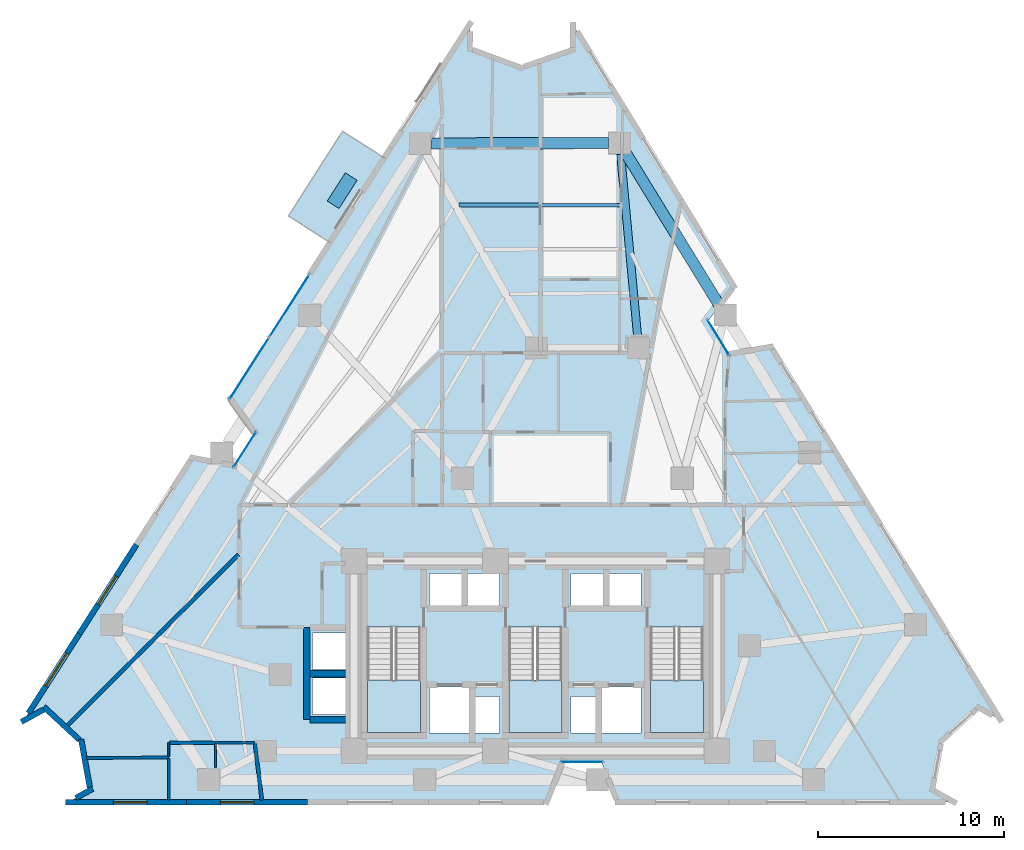
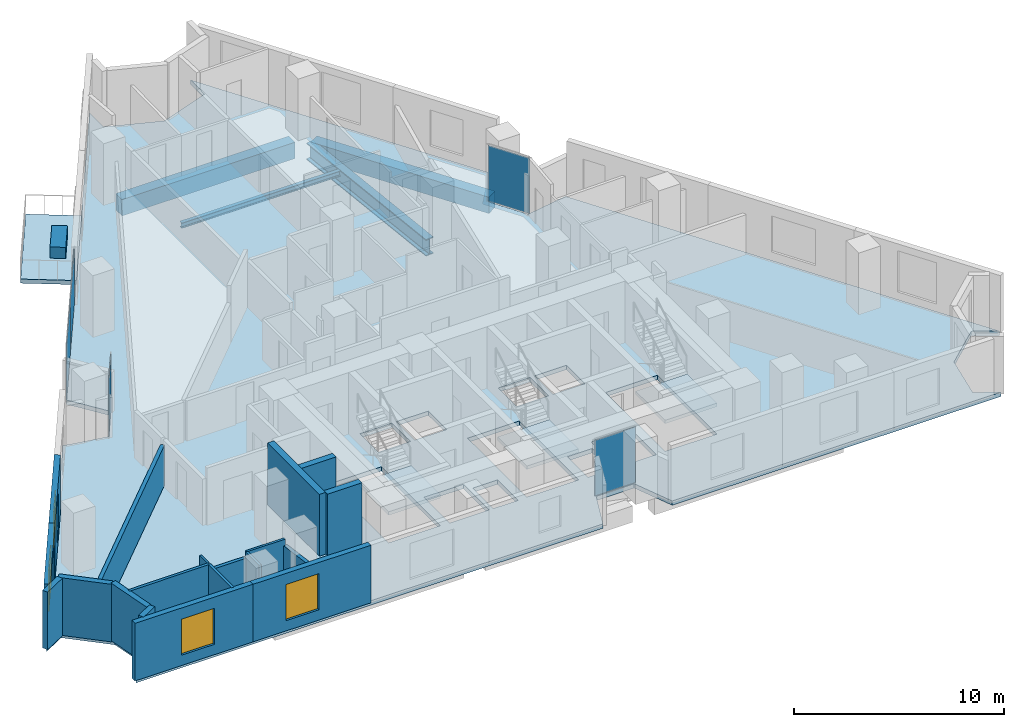
# One storey, part 5 of 13: 19 walls, 6 plates, 5 slabs, 4 beams, 4 windows, 4 openings, 7 elements without a shape of their own.
"""IFC4 building model written with IfcOpenShell, lengths in metres."""

from ifc_helpers import new_model, si_unit, direction, frame, frame_2d, origin, origin_2d, place, context, subcontext, project, spatial, polyline, rectangle, i_section, outline, extrude, material, layer, layer_set, material_profile, profile_set, type_object, element, fill, aggregate, save


model = new_model("IFC4")

# Units and contexts
model_context = context("Model", 3, precision=1e-05, world=origin(), true_north=direction((0.0, 1.0)))
body_context = subcontext(model_context, "Body", "Model", "MODEL_VIEW")
ifc_project = project(units=[si_unit("LENGTHUNIT", "METRE"), si_unit("AREAUNIT", "SQUARE_METRE"), si_unit("VOLUMEUNIT", "CUBIC_METRE"), si_unit("PLANEANGLEUNIT", "RADIAN"), si_unit("MASSUNIT", "GRAM", prefix="KILO")], contexts=[model_context])

# Site, building, storey
site_placement = place(None, origin())
site = spatial("IfcSite", under=ifc_project, at=site_placement, CompositionType="ELEMENT")
building_placement = place(site_placement, origin())
building = spatial("IfcBuilding", under=site, at=building_placement, Name="Almagre Mirador Tower", CompositionType="ELEMENT")
storey_placement = place(building_placement, frame((0.0, 0.0, 82.199951171875)))
storey = spatial("IfcBuildingStorey", under=building, at=storey_placement, Name="L20", CompositionType="ELEMENT", Elevation=82.199951171875)

# Beams
ifc_material_1 = material(Name="Steel ASTM A992 Grade 50", Category="steel")
ifc_material_profile_1 = material_profile(ifc_material_1, i_section(OverallWidth=0.205078125, OverallDepth=0.31005859375, WebThickness=0.009521484375, FlangeThickness=0.016357421875, FilletRadius=0.013916015625, at=origin_2d()), Name="W12X50")
ifc_profile_set_1 = profile_set([ifc_material_profile_1], Name="Steel ASTM A992 Grade 50")
beam_type_1 = type_object("IfcBeamType", Name="BM-JST-W12X50", PredefinedType="JOIST", material=ifc_profile_set_1)
beam_1_placement = place(storey_placement, frame((41.923095703125, 33.86328125, -0.405029296875), z_axis=(-0.999997681519, 0.00215335929, 0.0), x_axis=(-0.00215335929, -0.999997681519, 0.0)))
element("IfcBeam", 1, at=beam_1_placement, inside=storey, type_object=beam_type_1, Name="L20 secondary floor joist PC08-PC09.1", PredefinedType="JOIST", context=body_context, shape_type="SweptSolid", body=[
    extrude(i_section(OverallWidth=0.205078125, OverallDepth=0.31005859375, WebThickness=0.009521484375, FlangeThickness=0.016357421875, FilletRadius=0.013916015625, at=origin_2d()), origin(), (0.0, 0.0, 1.0), 8.72998046875),
])
ifc_material_2 = material(Name="Precast concrete C50/60", Category="concrete")
ifc_material_profile_2 = material_profile(ifc_material_2, rectangle(XDim=0.60009765625, YDim=0.949951171875, at=origin_2d()), Name="RC600X950")
ifc_profile_set_2 = profile_set([ifc_material_profile_2], Name="Precast concrete C50/60")
beam_type_2 = type_object("IfcBeamType", Name="BM-SPN-RC600X950", PredefinedType="SPANDREL", material=ifc_profile_set_2)
beam_2_placement = place(storey_placement, frame((47.19189453125, 28.47900390625, -0.724853515625), z_axis=(-0.523685040843, 0.851911954369, 0.0), x_axis=(-0.851911954369, -0.523685040843, 0.0)))
element("IfcBeam", 2, at=beam_2_placement, inside=storey, type_object=beam_type_2, Name="L20 perimeter spandrel beam PC07-PC08", PredefinedType="SPANDREL", context=body_context, shape_type="SweptSolid", body=[
    extrude(rectangle(XDim=0.60009765625, YDim=0.949951171875, at=origin_2d()), origin(), (0.0, 0.0, 1.0), 9.646484375),
])
beam_3_placement = place(storey_placement, frame((41.22607421875, 37.206787109375, -0.724853515625), z_axis=(-0.999998482053, -0.001742380833, 0.0), x_axis=(0.001742380833, -0.999998482053, 0.0)))
element("IfcBeam", 3, at=beam_3_placement, inside=storey, type_object=beam_type_2, Name="L20 perimeter spandrel beam PC08-PC09", PredefinedType="SPANDREL", context=body_context, shape_type="SweptSolid", body=[
    extrude(rectangle(XDim=0.60009765625, YDim=0.949951171875, at=origin_2d()), origin(), (0.0, 0.0, 1.0), 9.528076171875),
])
ifc_material_3 = material(Name="Steel ASTM A992 Grade 50", Category="steel")
ifc_material_profile_3 = material_profile(ifc_material_3, i_section(OverallWidth=0.427978515625, OverallDepth=0.97509765625, WebThickness=0.031005859375, FlangeThickness=0.055908203125, FilletRadius=0.028076171875, at=origin_2d()), Name="W36X395")
ifc_profile_set_3 = profile_set([ifc_material_profile_3], Name="Steel ASTM A992 Grade 50")
beam_type_3 = type_object("IfcBeamType", Name="BM-STL-W36X395", PredefinedType="BEAM", material=ifc_profile_set_3)
beam_4_placement = place(storey_placement, frame((41.881591796875, 36.610595703125, -0.737548828125), z_axis=(0.092621655493, -0.99570137538, 0.0), x_axis=(0.99570137538, 0.092621655493, 0.0)))
element("IfcBeam", 4, at=beam_4_placement, inside=storey, type_object=beam_type_3, Name="L20 radial floor girder PC08-MC6", PredefinedType="BEAM", context=body_context, shape_type="SweptSolid", body=[
    extrude(i_section(OverallWidth=0.427978515625, OverallDepth=0.97509765625, WebThickness=0.031005859375, FlangeThickness=0.055908203125, FilletRadius=0.028076171875, at=origin_2d()), origin(), (0.0, 0.0, 1.0), 9.855712890625),
])

# Curtain wall, plate
ifc_material_4 = material(Name="Black anodized aluminium", Category="aluminium")
ifc_layer_1 = layer(ifc_material_4, 0.169921875)
ifc_layer_set_1 = layer_set([ifc_layer_1], Name="Black anodized aluminium")
curtain_wall_type_1 = type_object("IfcCurtainWallType", Name="CW-CRS-SYS", PredefinedType="NOTDEFINED", material=ifc_layer_set_1)
curtain_wall_1_placement = place(storey_placement, origin())
curtain_wall_1 = element("IfcCurtainWall", 5, at=curtain_wall_1_placement, inside=storey, type_object=curtain_wall_type_1, Name="L20 vertical crease curtain wall 01", PredefinedType="NOTDEFINED")
ifc_material_5 = material(Name="Dark solar-control laminated hurricane glass", Category="glass")
ifc_layer_2 = layer(ifc_material_5, 0.028076171875)
ifc_layer_set_2 = layer_set([ifc_layer_2], Name="Dark solar-control laminated hurricane glass")
plate_type_1 = type_object("IfcPlateType", Name="PLT-GLZ-28", PredefinedType="CURTAIN_PANEL", material=ifc_layer_set_2)
plate_1_placement = place(storey_placement, frame((21.69091796875, 20.7451171875, 0.06005859375), z_axis=(0.0, 0.0, 1.0), x_axis=(0.539558777859, 0.841947934991, 0.0)))
plate_1 = element("IfcPlate", 6, at=plate_1_placement, type_object=plate_type_1, Name="CW-4 panel 1.1", PredefinedType="CURTAIN_PANEL", context=body_context, shape_type="SweptSolid", body=[
    extrude(rectangle(XDim=2.25048828125, YDim=0.028076171875, at=origin_2d()), origin(), (0.0, 0.0, 1.0), 3.22998046875),
])
aggregate(curtain_wall_1, [plate_1])

curtain_wall_2_placement = place(storey_placement, origin())
curtain_wall_2 = element("IfcCurtainWall", 7, at=curtain_wall_2_placement, inside=storey, type_object=curtain_wall_type_1, Name="L20 vertical crease curtain wall 03", PredefinedType="NOTDEFINED")
plate_2_placement = place(storey_placement, frame((47.132080078125, 26.761474609375, 0.06005859375), z_axis=(0.0, 0.0, 1.0), x_axis=(0.523414605102, -0.852078136772, 0.0)))
plate_2 = element("IfcPlate", 8, at=plate_2_placement, type_object=plate_type_1, Name="CW-4 panel 1.1", PredefinedType="CURTAIN_PANEL", context=body_context, shape_type="SweptSolid", body=[
    extrude(rectangle(XDim=2.250244140625, YDim=0.028076171875, at=origin_2d()), origin(), (0.0, 0.0, 1.0), 3.22998046875),
])
aggregate(curtain_wall_2, [plate_2])

curtain_wall_3_placement = place(storey_placement, origin())
curtain_wall_3 = element("IfcCurtainWall", 9, at=curtain_wall_3_placement, inside=storey, type_object=curtain_wall_type_1, Name="L20 vertical crease curtain wall 04", PredefinedType="NOTDEFINED")
plate_3_placement = place(storey_placement, frame((39.80810546875, 3.949951171875, 0.06005859375), z_axis=(0.0, 0.0, 1.0), x_axis=(-1.0, 0.0, 0.0)))
plate_3 = element("IfcPlate", 10, at=plate_3_placement, type_object=plate_type_1, Name="CW-4 panel 1.1", PredefinedType="CURTAIN_PANEL", context=body_context, shape_type="SweptSolid", body=[
    extrude(rectangle(XDim=2.25, YDim=0.028076171875, at=origin_2d()), origin(), (0.0, 0.0, 1.0), 3.22998046875),
])
aggregate(curtain_wall_3, [plate_3])

# Curtain wall, plates
ifc_material_6 = material(Name="Black anodized aluminium", Category="aluminium")
ifc_layer_3 = layer(ifc_material_6, 0.18994140625)
ifc_layer_set_3 = layer_set([ifc_layer_3], Name="Black anodized aluminium")
curtain_wall_type_2 = type_object("IfcCurtainWallType", Name="CW-RES-L-SYS", PredefinedType="NOTDEFINED", material=ifc_layer_set_3)
curtain_wall_4_placement = place(storey_placement, origin())
curtain_wall_4 = element("IfcCurtainWall", 11, at=curtain_wall_4_placement, inside=storey, type_object=curtain_wall_type_2, Name="L20 curtain wall run 02", PredefinedType="NOTDEFINED")
ifc_material_7 = material(Name="Dark solar-control laminated hurricane glass", Category="glass")
ifc_layer_4 = layer(ifc_material_7, 0.031982421875)
ifc_layer_set_4 = layer_set([ifc_layer_4], Name="Dark solar-control laminated hurricane glass")
plate_type_2 = type_object("IfcPlateType", Name="PLT-GLZ-32", PredefinedType="CURTAIN_PANEL", material=ifc_layer_set_4)
plate_4_placement = place(storey_placement, frame((21.926025390625, 25.095947265625, 0.06005859375), z_axis=(0.0, 0.0, 1.0), x_axis=(0.539454763486, 0.8420145831, 0.0)))
plate_4 = element("IfcPlate", 12, at=plate_4_placement, type_object=plate_type_2, Name="CW-2 panel 1.1", PredefinedType="CURTAIN_PANEL", context=body_context, shape_type="SweptSolid", body=[
    extrude(rectangle(XDim=3.931396484375, YDim=0.031982421875, at=origin_2d()), origin(), (0.0, 0.0, 1.0), 3.22998046875),
])
plate_5_placement = place(storey_placement, frame((24.081787109375, 28.4609375, 0.06005859375), z_axis=(0.0, 0.0, 1.0), x_axis=(0.539454763486, 0.8420145831, 0.0)))
plate_5 = element("IfcPlate", 13, at=plate_5_placement, type_object=plate_type_2, Name="CW-2 panel 2.1", PredefinedType="CURTAIN_PANEL", context=body_context, shape_type="SweptSolid", body=[
    extrude(rectangle(XDim=3.931396484375, YDim=0.031982421875, at=origin_2d()), origin(), (0.0, 0.0, 1.0), 3.22998046875),
])
aggregate(curtain_wall_4, [plate_4, plate_5])

# Plate
ifc_material_8 = material(Name="Precast concrete C50/60", Category="concrete")
ifc_layer_5 = layer(ifc_material_8, 0.64990234375)
ifc_layer_set_5 = layer_set([ifc_layer_5], Name="Precast concrete C50/60")
plate_type_3 = type_object("IfcPlateType", Name="PLT-PLANTER-1800", PredefinedType="USERDEFINED", material=ifc_layer_set_5)
plate_6_placement = place(storey_placement, frame((26.919921875, 34.652099609375, 0.0), z_axis=(0.0, 0.0, 1.0), x_axis=(-0.539461671362, -0.84201015738, 0.0)))
element("IfcPlate", 14, at=plate_6_placement, inside=storey, type_object=plate_type_3, Name="L20 west balcony structural tree planter 2", ObjectType="PLANTER", PredefinedType="USERDEFINED", context=body_context, shape_type="SweptSolid", body=[
    extrude(rectangle(XDim=1.800048828125, YDim=0.75, at=origin_2d()), origin(), (0.0, 0.0, 1.0), 0.64990234375),
])

# Slabs
ifc_material_9 = material(Name="Concrete C45/55", Category="concrete")
ifc_layer_6 = layer(ifc_material_9, 0.239990234375)
ifc_layer_set_6 = layer_set([ifc_layer_6], Name="Concrete C45/55")
slab_type_1 = type_object("IfcSlabType", Name="SLB-BAL-240", PredefinedType="USERDEFINED", material=ifc_layer_set_6)
slab_1_placement = place(storey_placement, frame((0.0, 0.0, -0.239990234375)))
element("IfcSlab", 15, at=slab_1_placement, inside=storey, type_object=slab_type_1, Name="L20 west planted tree balcony 2", ObjectType="BALCONY", PredefinedType="USERDEFINED", context=body_context, shape_type="SweptSolid", body=[
    extrude(outline(polyline([(29.194091796875, 36.402099609375), (26.280029296875, 31.85595703125), (24.031982421875, 33.2958984375), (26.945068359375, 37.843017578125), (29.194091796875, 36.402099609375)])), origin(), (0.0, 0.0, 1.0), 0.239990234375),
])
ifc_material_10 = material(Name="Concrete C45/55", Category="concrete")
ifc_layer_7 = layer(ifc_material_10, 0.25)
ifc_layer_set_7 = layer_set([ifc_layer_7], Name="Concrete C45/55")
slab_type_2 = type_object("IfcSlabType", Name="SLB-FLR-250", PredefinedType="FLOOR", material=ifc_layer_set_7)
slab_2_placement = place(storey_placement, frame((0.0, 0.0, -0.25)))
element("IfcSlab", 16, at=slab_2_placement, inside=storey, type_object=slab_type_2, Name="L20 structural floor slab", PredefinedType="FLOOR", context=body_context, shape_type="SweptSolid", body=[
    extrude(outline(polyline([(9.804931640625, 6.177978515625), (10.989990234375, 6.825927734375), (12.9169921875, 5.035888671875), (13.384033203125, 2.447998046875), (12.199951171875, 1.800048828125), (37.907958984375, 1.800048828125), (38.762939453125, 3.949951171875), (40.85302734375, 3.949951171875), (41.7080078125, 1.800048828125), (59.800048828125, 1.800048828125), (58.6220703125, 2.458984375), (59.114013671875, 5.091064453125), (61.09912109375, 6.888916015625), (62.277099609375, 6.22998046875), (49.958984375, 26.26904296875), (47.678955078125, 25.87109375), (46.5849609375, 27.652099609375), (47.968994140625, 29.506103515625), (39.322998046875, 43.570068359375), (39.31103515625, 42.219970703125), (36.537109375, 41.256103515625), (33.781982421875, 42.27197265625), (33.794921875, 43.6220703125), (20.906005859375, 23.50390625), (22.2548828125, 21.625), (21.126953125, 19.864990234375), (18.85595703125, 20.304931640625), (9.804931640625, 6.177978515625)]), holes=[polyline([(43.47509765625, 11.196044921875), (46.324951171875, 11.196044921875), (46.324951171875, 5.550048828125), (43.47509765625, 5.550048828125), (43.47509765625, 11.196044921875)]), polyline([(40.820068359375, 5.52001953125), (40.820068359375, 7.97998046875), (42.97998046875, 7.97998046875), (42.97998046875, 5.52001953125), (40.820068359375, 5.52001953125)]), polyline([(41.219970703125, 12.320068359375), (41.219970703125, 14.080078125), (42.97998046875, 14.080078125), (42.97998046875, 12.320068359375), (41.219970703125, 12.320068359375)]), polyline([(39.219970703125, 12.320068359375), (39.219970703125, 14.080078125), (40.97998046875, 14.080078125), (40.97998046875, 12.320068359375), (39.219970703125, 12.320068359375)]), polyline([(39.219970703125, 5.52001953125), (39.219970703125, 7.47998046875), (40.580078125, 7.47998046875), (40.580078125, 5.52001953125), (39.219970703125, 5.52001953125)]), polyline([(35.875, 11.196044921875), (38.72509765625, 11.196044921875), (38.72509765625, 5.550048828125), (35.875, 5.550048828125), (35.875, 11.196044921875)]), polyline([(35.3798828125, 5.52001953125), (34.02001953125, 5.52001953125), (34.02001953125, 7.47998046875), (35.3798828125, 7.47998046875), (35.3798828125, 5.52001953125)]), polyline([(35.3798828125, 12.320068359375), (33.6201171875, 12.320068359375), (33.6201171875, 14.080078125), (35.3798828125, 14.080078125), (35.3798828125, 12.320068359375)]), polyline([(31.6201171875, 5.52001953125), (31.6201171875, 7.97998046875), (33.780029296875, 7.97998046875), (33.780029296875, 5.52001953125), (31.6201171875, 5.52001953125)]), polyline([(31.6201171875, 12.320068359375), (31.6201171875, 14.080078125), (33.3798828125, 14.080078125), (33.3798828125, 12.320068359375), (31.6201171875, 12.320068359375)]), polyline([(28.27490234375, 5.550048828125), (28.27490234375, 11.196044921875), (31.125, 11.196044921875), (31.125, 5.550048828125), (28.27490234375, 5.550048828125)]), polyline([(25.320068359375, 6.52001953125), (25.320068359375, 8.47998046875), (27.3798828125, 8.47998046875), (27.3798828125, 6.52001953125), (25.320068359375, 6.52001953125)]), polyline([(25.320068359375, 8.919921875), (25.320068359375, 10.8798828125), (27.3798828125, 10.8798828125), (27.3798828125, 8.919921875), (25.320068359375, 8.919921875)])]), origin(), (0.0, 0.0, 1.0), 0.25),
])

# Stair, slab
ifc_material_11 = material(Name="Concrete C45/55", Category="concrete")
stair_type = type_object("IfcStairType", Name="STR-DL-3600", PredefinedType="HALF_TURN_STAIR", material=ifc_material_11)
stair_1_placement = place(storey_placement, origin())
stair_1 = element("IfcStair", 17, at=stair_1_placement, inside=storey, type_object=stair_type, Name="L20 Protected exit stair ST-1", PredefinedType="HALF_TURN_STAIR")
ifc_material_12 = material(Name="Concrete C45/55", Category="concrete")
ifc_layer_8 = layer(ifc_material_12, 0.199951171875)
ifc_layer_set_8 = layer_set([ifc_layer_8], Name="Concrete C45/55")
slab_type_3 = type_object("IfcSlabType", Name="SLB-LND-200", PredefinedType="LANDING", material=ifc_layer_set_8)
slab_3_placement = place(storey_placement, frame((0.0, 0.0, 1.60009765625)))
slab_3 = element("IfcSlab", 18, at=slab_3_placement, type_object=slab_type_3, Name="ST-1 landing 1", PredefinedType="LANDING", context=body_context, shape_type="SweptSolid", body=[
    extrude(outline(polyline([(28.27490234375, 8.35009765625), (28.27490234375, 5.550048828125), (31.125, 5.550048828125), (31.125, 8.35009765625), (28.27490234375, 8.35009765625)])), origin(), (0.0, 0.0, 1.0), 0.199951171875),
])
aggregate(stair_1, [slab_3])

stair_2_placement = place(storey_placement, origin())
stair_2 = element("IfcStair", 19, at=stair_2_placement, inside=storey, type_object=stair_type, Name="L20 Protected exit stair ST-2", PredefinedType="HALF_TURN_STAIR")
slab_4_placement = place(storey_placement, frame((0.0, 0.0, 1.60009765625)))
slab_4 = element("IfcSlab", 20, at=slab_4_placement, type_object=slab_type_3, Name="ST-2 landing 1", PredefinedType="LANDING", context=body_context, shape_type="SweptSolid", body=[
    extrude(outline(polyline([(35.875, 8.35009765625), (35.875, 5.550048828125), (38.72509765625, 5.550048828125), (38.72509765625, 8.35009765625), (35.875, 8.35009765625)])), origin(), (0.0, 0.0, 1.0), 0.199951171875),
])
aggregate(stair_2, [slab_4])

stair_3_placement = place(storey_placement, origin())
stair_3 = element("IfcStair", 21, at=stair_3_placement, inside=storey, type_object=stair_type, Name="L20 Protected exit stair ST-3", PredefinedType="HALF_TURN_STAIR")
slab_5_placement = place(storey_placement, frame((0.0, 0.0, 1.60009765625)))
slab_5 = element("IfcSlab", 22, at=slab_5_placement, type_object=slab_type_3, Name="ST-3 landing 1", PredefinedType="LANDING", context=body_context, shape_type="SweptSolid", body=[
    extrude(outline(polyline([(43.47509765625, 8.35009765625), (43.47509765625, 5.550048828125), (46.324951171875, 5.550048828125), (46.324951171875, 8.35009765625), (43.47509765625, 8.35009765625)])), origin(), (0.0, 0.0, 1.0), 0.199951171875),
])
aggregate(stair_3, [slab_5])

# Wall, opening, window
ifc_material_13 = material(Name="Precast concrete C50/60", Category="concrete")
ifc_layer_9 = layer(ifc_material_13, 0.300048828125)
ifc_layer_set_9 = layer_set([ifc_layer_9], Name="Precast concrete C50/60")
wall_type_1 = type_object("IfcWallType", Name="WAL-EXT-300", PredefinedType="SOLIDWALL", material=ifc_layer_set_9)
wall_1_placement = place(storey_placement, frame((25.053955078125, 1.800048828125, 0.0), z_axis=(0.0, 0.0, 1.0), x_axis=(-1.0, 0.0, 0.0)))
wall_1 = element("IfcWall", 23, at=wall_1_placement, inside=storey, type_object=wall_type_1, Name="L20 expressed almagre precast frame wall 29", PredefinedType="SOLIDWALL", context=body_context, shape_type="SweptSolid", body=[
    extrude(rectangle(XDim=6.4970703125, YDim=0.300048828125, at=frame_2d((3.24853515625, 0.0))), origin(), (0.0, 0.0, 1.0), 3.35009765625),
])
opening_1_placement = place(wall_1_placement, frame((2.875, 0.0, 0.60009765625)))
opening_1 = element("IfcOpeningElement", 24, at=opening_1_placement, cuts=wall_1, Name="Opening WN-01", PredefinedType="OPENING", context=body_context, shape_type="SweptSolid", body=[
    extrude(rectangle(XDim=1.800048828125, YDim=2.10009765625, at=frame_2d((0.89990234375, 1.050048828125))), frame((0.0, 0.159902, 0.0), z_axis=(0.0, -1.0, 0.0), x_axis=(1.0, 0.0, 0.0)), (0.0, 0.0, 1.0), 0.320049),
])
ifc_material_14 = material(Name="Dark solar-control laminated hurricane glass", Category="glass")
window_type_1 = type_object("IfcWindowType", Name="WIN-1800X2100", PartitioningType="DOUBLE_PANEL_VERTICAL", PredefinedType="WINDOW", material=ifc_material_14)
window_1_placement = place(opening_1_placement, origin())
window_1 = element("IfcWindow", 25, at=window_1_placement, inside=storey, type_object=window_type_1, Name="L20 recessed hurricane window L20-UA-KT", OverallHeight=2.10009765625, OverallWidth=1.800048828125, PartitioningType="SINGLE_PANEL", PredefinedType="WINDOW", context=body_context, shape_type="SweptSolid", body=[
    extrude(rectangle(XDim=1.800048828125, YDim=2.10009765625, at=frame_2d((0.89990234375, 1.050048828125))), frame((0.0, 0.030029296875, 0.0), z_axis=(0.0, -1.0, 0.0), x_axis=(1.0, 0.0, 0.0)), (0.0, 0.0, 1.0), 0.06005859375),
])
fill(opening_1, window_1)

wall_2_placement = place(storey_placement, frame((18.556884765625, 1.800048828125, 0.0), z_axis=(0.0, 0.0, 1.0), x_axis=(-1.0, 0.0, 0.0)))
wall_2 = element("IfcWall", 26, at=wall_2_placement, inside=storey, type_object=wall_type_1, Name="L20 expressed almagre precast frame wall 30", PredefinedType="SOLIDWALL", context=body_context, shape_type="SweptSolid", body=[
    extrude(rectangle(XDim=6.496826171875, YDim=0.300048828125, at=frame_2d((3.24853515625, 0.0))), origin(), (0.0, 0.0, 1.0), 3.35009765625),
])
opening_2_placement = place(wall_2_placement, frame((2.125, 0.0, 0.60009765625)))
opening_2 = element("IfcOpeningElement", 27, at=opening_2_placement, cuts=wall_2, Name="Opening WN-01", PredefinedType="OPENING", context=body_context, shape_type="SweptSolid", body=[
    extrude(rectangle(XDim=1.800048828125, YDim=2.10009765625, at=frame_2d((0.89990234375, 1.050048828125))), frame((0.0, 0.159902, 0.0), z_axis=(0.0, -1.0, 0.0), x_axis=(1.0, 0.0, 0.0)), (0.0, 0.0, 1.0), 0.320049),
])
window_2_placement = place(opening_2_placement, origin())
window_2 = element("IfcWindow", 28, at=window_2_placement, inside=storey, type_object=window_type_1, Name="L20 recessed hurricane window L20-UA-HB", OverallHeight=2.10009765625, OverallWidth=1.800048828125, PartitioningType="SINGLE_PANEL", PredefinedType="WINDOW", context=body_context, shape_type="SweptSolid", body=[
    extrude(rectangle(XDim=1.800048828125, YDim=2.10009765625, at=frame_2d((0.89990234375, 1.050048828125))), frame((0.0, 0.030029296875, 0.0), z_axis=(0.0, -1.0, 0.0), x_axis=(1.0, 0.0, 0.0)), (0.0, 0.0, 1.0), 0.06005859375),
])
fill(opening_2, window_2)

# Walls
wall_3_placement = place(storey_placement, frame((12.6123046875, 2.025634765625, 0.0), z_axis=(0.0, 0.0, 1.0), x_axis=(0.877245120991, 0.480042704036, 0.0)))
element("IfcWall", 29, at=wall_3_placement, inside=storey, type_object=wall_type_1, Name="L20 expressed almagre precast frame wall 31", PredefinedType="SOLIDWALL", context=body_context, shape_type="SweptSolid", body=[
    extrude(rectangle(XDim=1.019775390625, YDim=0.300048828125, at=frame_2d((0.509765625, 0.0))), origin(), (0.0, 0.0, 1.0), 3.35009765625),
])
wall_4_placement = place(storey_placement, frame((13.360107421875, 2.580810546875, 0.0), z_axis=(0.0, 0.0, 1.0), x_axis=(-0.177621463404, 0.984098885142, 0.0)))
element("IfcWall", 30, at=wall_4_placement, inside=storey, type_object=wall_type_1, Name="L20 expressed almagre precast frame wall 32", PredefinedType="SOLIDWALL", context=body_context, shape_type="SweptSolid", body=[
    extrude(rectangle(XDim=2.635009765625, YDim=0.300048828125, at=frame_2d((1.3173828125, 0.0))), origin(), (0.0, 0.0, 1.0), 3.35009765625),
])
wall_5_placement = place(storey_placement, frame((12.80712890625, 5.13818359375, 0.0), z_axis=(0.0, 0.0, 1.0), x_axis=(-0.732670686937, 0.680583326642, 0.0)))
element("IfcWall", 31, at=wall_5_placement, inside=storey, type_object=wall_type_1, Name="L20 expressed almagre precast frame wall 33", PredefinedType="SOLIDWALL", context=body_context, shape_type="SweptSolid", body=[
    extrude(rectangle(XDim=2.6201171875, YDim=0.300048828125, at=frame_2d((1.31005859375, 0.0))), origin(), (0.0, 0.0, 1.0), 3.35009765625),
])
wall_6_placement = place(storey_placement, frame((10.8759765625, 6.763671875, 0.0), z_axis=(0.0, 0.0, 1.0), x_axis=(-0.877387661902, -0.47978212841, 0.0)))
element("IfcWall", 32, at=wall_6_placement, inside=storey, type_object=wall_type_1, Name="L20 expressed almagre precast frame wall 34", PredefinedType="SOLIDWALL", context=body_context, shape_type="SweptSolid", body=[
    extrude(rectangle(XDim=1.360595703125, YDim=0.300048828125, at=frame_2d((0.68017578125, 0.0))), origin(), (0.0, 0.0, 1.0), 3.35009765625),
])

# Wall, opening, window
wall_7_placement = place(storey_placement, frame((10.061279296875, 6.577880859375, 0.0), z_axis=(0.0, 0.0, 1.0), x_axis=(0.539464859434, 0.842008114828, 0.0)))
wall_7 = element("IfcWall", 33, at=wall_7_placement, inside=storey, type_object=wall_type_1, Name="L20 expressed almagre precast frame wall 35", PredefinedType="SOLIDWALL", context=body_context, shape_type="SweptSolid", body=[
    extrude(rectangle(XDim=5.071044921875, YDim=0.300048828125, at=frame_2d((2.53564453125, 0.0))), origin(), (0.0, 0.0, 1.0), 3.35009765625),
])
opening_3_placement = place(wall_7_placement, frame((1.735107421875, 0.0, 0.550048828125)))
opening_3 = element("IfcOpeningElement", 34, at=opening_3_placement, cuts=wall_7, Name="Opening WN-05", PredefinedType="OPENING", context=body_context, shape_type="SweptSolid", body=[
    extrude(rectangle(XDim=2.10009765625, YDim=2.39990234375, at=frame_2d((1.050048828125, 1.199951171875))), frame((0.0, 0.159902, 0.0), z_axis=(0.0, -1.0, 0.0), x_axis=(1.0, 0.0, 0.0)), (0.0, 0.0, 1.0), 0.320049),
])
ifc_material_15 = material(Name="Dark solar-control laminated hurricane glass", Category="glass")
window_type_2 = type_object("IfcWindowType", Name="WIN-2100X2400", PartitioningType="DOUBLE_PANEL_VERTICAL", PredefinedType="WINDOW", material=ifc_material_15)
window_3_placement = place(opening_3_placement, origin())
window_3 = element("IfcWindow", 35, at=window_3_placement, inside=storey, type_object=window_type_2, Name="L20 recessed hurricane window L20-RST-E", OverallHeight=2.39990234375, OverallWidth=2.10009765625, PartitioningType="SINGLE_PANEL", PredefinedType="WINDOW", context=body_context, shape_type="SweptSolid", body=[
    extrude(rectangle(XDim=2.10009765625, YDim=2.39990234375, at=frame_2d((1.050048828125, 1.199951171875))), frame((0.0, 0.030029296875, 0.0), z_axis=(0.0, -1.0, 0.0), x_axis=(1.0, 0.0, 0.0)), (0.0, 0.0, 1.0), 0.06005859375),
])
fill(opening_3, window_3)

wall_8_placement = place(storey_placement, frame((12.796875, 10.84765625, 0.0), z_axis=(0.0, 0.0, 1.0), x_axis=(0.539467898562, 0.842006167686, 0.0)))
wall_8 = element("IfcWall", 36, at=wall_8_placement, inside=storey, type_object=wall_type_1, Name="L20 expressed almagre precast frame wall 36", PredefinedType="SOLIDWALL", context=body_context, shape_type="SweptSolid", body=[
    extrude(rectangle(XDim=5.68603515625, YDim=0.300048828125, at=frame_2d((2.843017578125, 0.0))), origin(), (0.0, 0.0, 1.0), 3.35009765625),
])
opening_4_placement = place(wall_8_placement, frame((1.875, 0.0, 0.60009765625)))
opening_4 = element("IfcOpeningElement", 37, at=opening_4_placement, cuts=wall_8, Name="Opening WN-01", PredefinedType="OPENING", context=body_context, shape_type="SweptSolid", body=[
    extrude(rectangle(XDim=1.800048828125, YDim=2.10009765625, at=frame_2d((0.89990234375, 1.050048828125))), frame((0.0, 0.159902, 0.0), z_axis=(0.0, -1.0, 0.0), x_axis=(1.0, 0.0, 0.0)), (0.0, 0.0, 1.0), 0.320049),
])
window_4_placement = place(opening_4_placement, origin())
window_4 = element("IfcWindow", 38, at=window_4_placement, inside=storey, type_object=window_type_1, Name="L20 recessed hurricane window L20-RST-E", OverallHeight=2.10009765625, OverallWidth=1.800048828125, PartitioningType="SINGLE_PANEL", PredefinedType="WINDOW", context=body_context, shape_type="SweptSolid", body=[
    extrude(rectangle(XDim=1.800048828125, YDim=2.10009765625, at=frame_2d((0.89990234375, 1.050048828125))), frame((0.0, 0.030029296875, 0.0), z_axis=(0.0, -1.0, 0.0), x_axis=(1.0, 0.0, 0.0)), (0.0, 0.0, 1.0), 0.06005859375),
])
fill(opening_4, window_4)

# Walls
ifc_material_16 = material(Name="Gypsum acoustic stud partition", Category="other")
ifc_layer_10 = layer(ifc_material_16, 0.10009765625)
ifc_layer_set_10 = layer_set([ifc_layer_10], Name="Gypsum acoustic stud partition")
wall_type_2 = type_object("IfcWallType", Name="WAL-PRT-100-CLS", PredefinedType="PARTITIONING", material=ifc_layer_set_10)
wall_9_placement = place(storey_placement, frame((17.60009765625, 4.260009765625, 0.0), z_axis=(0.0, 0.0, 1.0), x_axis=(0.0, 1.0, 0.0)))
element("IfcWall", 39, at=wall_9_placement, inside=storey, type_object=wall_type_2, Name="L20 interior partition 017", PredefinedType="PARTITIONING", context=body_context, shape_type="SweptSolid", body=[
    extrude(rectangle(XDim=0.72998046875, YDim=0.10009765625, at=frame_2d((0.364990234375, 0.0))), origin(), (0.0, 0.0, 1.0), 3.35009765625),
])
ifc_material_17 = material(Name="Gypsum acoustic stud partition", Category="other")
ifc_layer_11 = layer(ifc_material_17, 0.125)
ifc_layer_set_11 = layer_set([ifc_layer_11], Name="Gypsum acoustic stud partition")
wall_type_3 = type_object("IfcWallType", Name="WAL-PRT-125-UTL", PredefinedType="PARTITIONING", material=ifc_layer_set_11)
wall_10_placement = place(storey_placement, frame((20.110107421875, 4.989990234375, 0.0), z_axis=(0.0, 0.0, 1.0), x_axis=(1.0, 0.0, 0.0)))
element("IfcWall", 40, at=wall_10_placement, inside=storey, type_object=wall_type_3, Name="L20 interior partition 016", PredefinedType="PARTITIONING", context=body_context, shape_type="SweptSolid", body=[
    extrude(rectangle(XDim=2.119873046875, YDim=0.125, at=frame_2d((1.06005859375, 0.0))), origin(), (0.0, 0.0, 1.0), 2.708984375),
])
wall_11_placement = place(storey_placement, frame((20.110107421875, 4.9423828125, 0.0), z_axis=(0.0, 0.0, 1.0), x_axis=(0.0, -1.0, 0.0)))
element("IfcWall", 41, at=wall_11_placement, inside=storey, type_object=wall_type_3, Name="L20 interior partition 021", PredefinedType="PARTITIONING", context=body_context, shape_type="SweptSolid", body=[
    extrude(rectangle(XDim=1.282470703125, YDim=0.125, at=frame_2d((0.64111328125, 0.0))), origin(), (0.0, 0.0, 1.0), 2.708984375),
])
ifc_material_18 = material(Name="Gypsum acoustic stud partition", Category="other")
ifc_layer_12 = layer(ifc_material_18, 0.14990234375)
ifc_layer_set_12 = layer_set([ifc_layer_12], Name="Gypsum acoustic stud partition")
wall_type_4 = type_object("IfcWallType", Name="WAL-PRT-150-STD", PredefinedType="PARTITIONING", material=ifc_layer_set_12)
wall_12_placement = place(storey_placement, frame((13.173095703125, 4.1669921875, 0.0), z_axis=(0.0, 0.0, 1.0), x_axis=(0.999972287215, 0.007444783476, 0.0)))
element("IfcWall", 42, at=wall_12_placement, inside=storey, type_object=wall_type_4, Name="L20 interior partition 015", PredefinedType="PARTITIONING", context=body_context, shape_type="SweptSolid", body=[
    extrude(rectangle(XDim=4.42724609375, YDim=0.14990234375, at=frame_2d((2.213623046875, 0.0))), origin(), (0.0, 0.0, 1.0), 3.35009765625),
])
wall_13_placement = place(storey_placement, frame((17.60009765625, 1.89990234375, 0.0), z_axis=(0.0, 0.0, 1.0), x_axis=(0.0, 1.0, 0.0)))
element("IfcWall", 43, at=wall_13_placement, inside=storey, type_object=wall_type_4, Name="L20 interior partition 020", PredefinedType="PARTITIONING", context=body_context, shape_type="SweptSolid", body=[
    extrude(rectangle(XDim=2.239990234375, YDim=0.14990234375, at=frame_2d((1.1201171875, 0.0))), origin(), (0.0, 0.0, 1.0), 3.35009765625),
])
ifc_material_19 = material(Name="Gypsum acoustic stud partition", Category="other")
ifc_layer_13 = layer(ifc_material_19, 0.175048828125)
ifc_layer_set_13 = layer_set([ifc_layer_13], Name="Gypsum acoustic stud partition")
wall_type_5 = type_object("IfcWallType", Name="WAL-PRT-175-AC", PredefinedType="PARTITIONING", material=ifc_layer_set_13)
wall_14_placement = place(storey_placement, frame((17.635009765625, 4.989990234375, 0.0), z_axis=(0.0, 0.0, 1.0), x_axis=(1.0, 0.0, 0.0)))
element("IfcWall", 44, at=wall_14_placement, inside=storey, type_object=wall_type_5, Name="L20 interior partition 018", PredefinedType="PARTITIONING", context=body_context, shape_type="SweptSolid", body=[
    extrude(rectangle(XDim=2.47509765625, YDim=0.175048828125, at=frame_2d((1.237548828125, 0.0))), origin(), (0.0, 0.0, 1.0), 2.3701171875),
])
ifc_material_20 = material(Name="Gypsum acoustic stud partition", Category="other")
ifc_layer_14 = layer(ifc_material_20, 0.199951171875)
ifc_layer_set_14 = layer_set([ifc_layer_14], Name="Gypsum acoustic stud partition")
wall_type_6 = type_object("IfcWallType", Name="WAL-PRT-200-EI60", PredefinedType="PARTITIONING", material=ifc_layer_set_14)
wall_15_placement = place(storey_placement, frame((21.33984375, 15.099853515625, 0.0), z_axis=(0.0, 0.0, 1.0), x_axis=(-0.706759638276, -0.707453753756, 0.0)))
element("IfcWall", 45, at=wall_15_placement, inside=storey, type_object=wall_type_6, Name="L20 interior partition 019", PredefinedType="PARTITIONING", context=body_context, shape_type="SweptSolid", body=[
    extrude(rectangle(XDim=13.013916015625, YDim=0.199951171875, at=frame_2d((6.5068359375, 0.0))), origin(), (0.0, 0.0, 1.0), 2.344970703125),
])
wall_16_placement = place(storey_placement, frame((22.60400390625, 1.89892578125, 0.0), z_axis=(0.0, 0.0, 1.0), x_axis=(-0.120074545748, 0.992764878238, 0.0)))
element("IfcWall", 46, at=wall_16_placement, inside=storey, type_object=wall_type_6, Name="L20 interior partition 022", PredefinedType="PARTITIONING", context=body_context, shape_type="SweptSolid", body=[
    extrude(rectangle(XDim=3.066162109375, YDim=0.199951171875, at=frame_2d((1.533203125, 0.0))), origin(), (0.0, 0.0, 1.0), 2.344970703125),
])
ifc_material_21 = material(Name="Concrete C60/75", Category="concrete")
ifc_layer_15 = layer(ifc_material_21, 0.35009765625)
ifc_layer_set_15 = layer_set([ifc_layer_15], Name="Concrete C60/75")
wall_type_7 = type_object("IfcWallType", Name="WAL-SHF-350", PredefinedType="SOLIDWALL", material=ifc_layer_set_15)
wall_17_placement = place(storey_placement, frame((25.02490234375, 6.22509765625, 0.0), z_axis=(0.0, 0.0, 1.0), x_axis=(0.0, 1.0, 0.0)))
element("IfcWall", 47, at=wall_17_placement, inside=storey, type_object=wall_type_7, Name="L20 shaft wall OL-W", PredefinedType="SOLIDWALL", context=body_context, shape_type="SweptSolid", body=[
    extrude(rectangle(XDim=4.949951171875, YDim=0.35009765625, at=frame_2d((2.47509765625, 0.0))), origin(), (0.0, 0.0, 1.0), 3.60009765625),
])
for number, where, z_axis, x_axis, name in (
    (48, (25.199951171875, 6.22509765625, 0.0), (0.0, 0.0, 1.0), (1.0, 0.0, 0.0), "L20 shaft wall OL-S"),
    (49, (25.199951171875, 8.699951171875, 0.0), (0.0, 0.0, 1.0), (1.0, 0.0, 0.0), "L20 shaft wall OL-M"),
):
    element("IfcWall", number, at=place(storey_placement, frame(where, z_axis=z_axis, x_axis=x_axis)), inside=storey, type_object=wall_type_7, Name=name, PredefinedType="SOLIDWALL", context=body_context, shape_type="SweptSolid", body=[
        extrude(rectangle(XDim=1.900146484375, YDim=0.35009765625, at=frame_2d((0.9501953125, 0.0))), origin(), (0.0, 0.0, 1.0), 3.60009765625),
    ])

save(model, "model.ifc")
